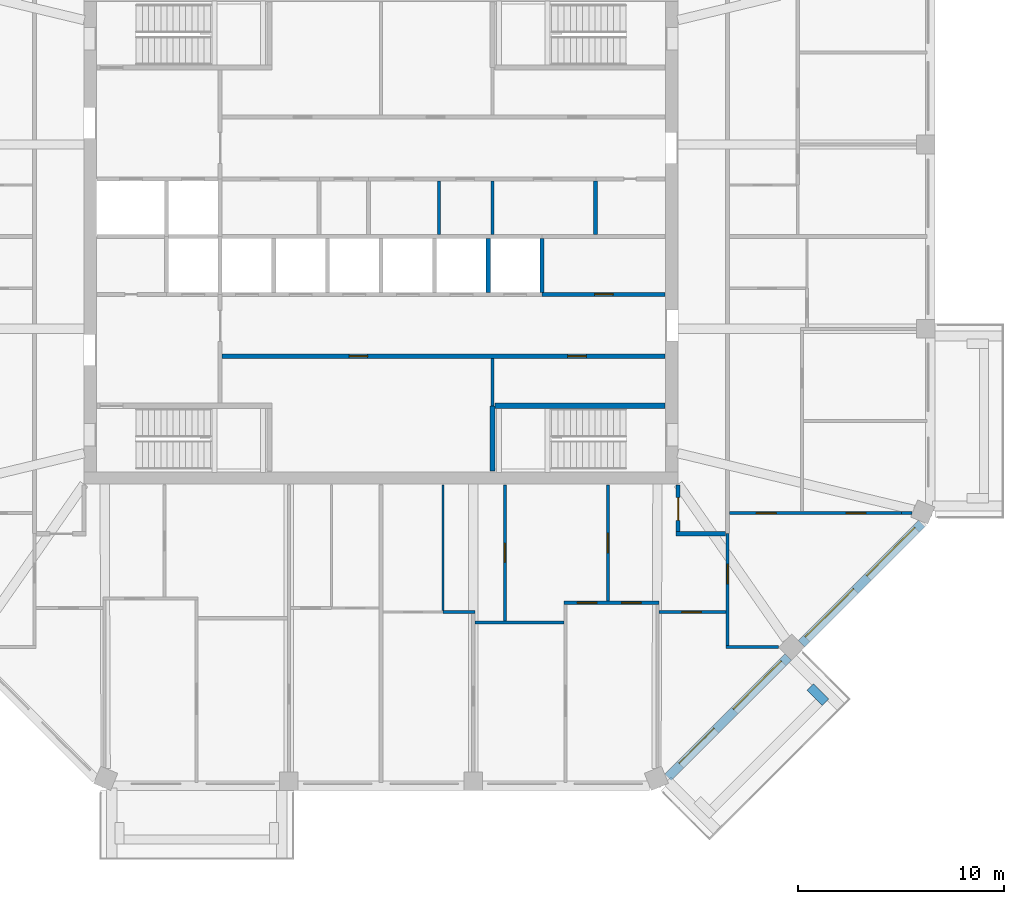
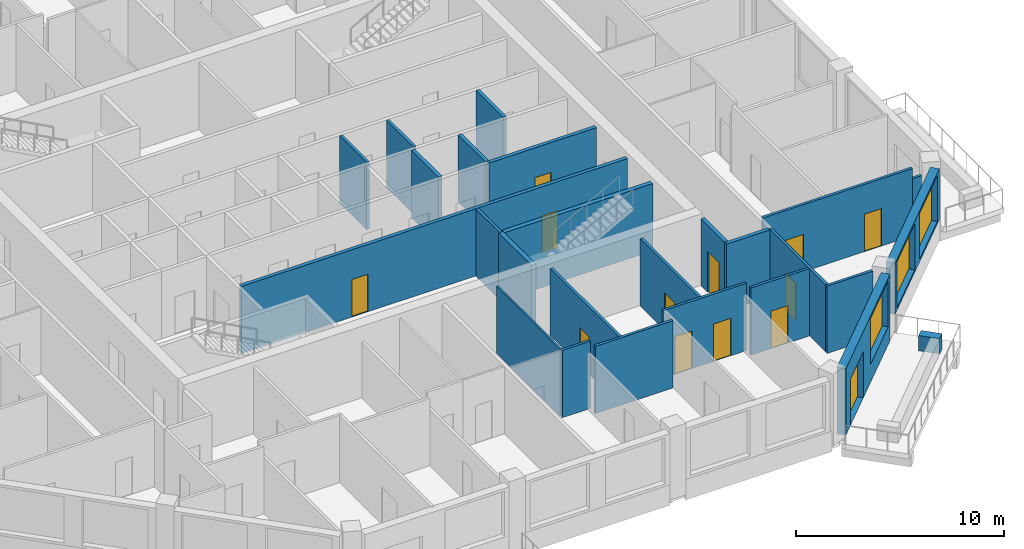
# One storey, part 5 of 11: 26 walls, 13 doors, 3 windows, 16 openings.
"""IFC4 building model written with IfcOpenShell, lengths in metres."""

from ifc_helpers import new_model, si_unit, direction, frame, frame_2d, origin, place, context, subcontext, project, spatial, rectangle, extrude, material, layer, layer_set, type_object, element, fill, save


model = new_model("IFC4")

# Units and contexts
model_context = context("Model", 3, precision=1e-05, world=origin(), true_north=direction((0.0, 1.0)))
body_context = subcontext(model_context, "Body", "Model", "MODEL_VIEW")
ifc_project = project(units=[si_unit("LENGTHUNIT", "METRE"), si_unit("AREAUNIT", "SQUARE_METRE"), si_unit("VOLUMEUNIT", "CUBIC_METRE"), si_unit("PLANEANGLEUNIT", "RADIAN"), si_unit("MASSUNIT", "GRAM", prefix="KILO")], contexts=[model_context])

# Site, building, storey
site_placement = place(None, origin())
site = spatial("IfcSite", under=ifc_project, at=site_placement, CompositionType="ELEMENT")
building_placement = place(site_placement, origin())
building = spatial("IfcBuilding", under=site, at=building_placement, Name="Msitu Wima Residences", CompositionType="ELEMENT")
storey_placement = place(building_placement, frame((0.0, 0.0, 234.89990234375)))
storey = spatial("IfcBuildingStorey", under=building, at=storey_placement, Name="L54", CompositionType="ELEMENT", Elevation=234.89990234375)

# Wall
ifc_material_1 = material(Name="Facing brick")
ifc_layer_1 = layer(ifc_material_1, 0.06494140625, Name="Facing brick")
ifc_material_2 = material(Name="Concrete C40/50", Category="concrete")
ifc_layer_2 = layer(ifc_material_2, 0.156005859375, Name="Concrete C40/50")
ifc_material_3 = material(Name="Waterproofing membrane")
ifc_layer_3 = layer(ifc_material_3, 0.00390625, Name="Waterproofing membrane")
ifc_material_4 = material(Name="Planting soil and planting")
ifc_layer_4 = layer(ifc_material_4, 0.22509765625, Name="Planting soil and planting")
ifc_layer_set_1 = layer_set([ifc_layer_1, ifc_layer_2, ifc_layer_3, ifc_layer_4], Name="Concrete C40/50")
wall_type_1 = type_object("IfcWallType", Name="Balcony planter PLANTER PL450", PredefinedType="USERDEFINED", material=ifc_layer_set_1)
wall_1_placement = place(storey_placement, frame((20.804443359375, -21.829833984375, 0.0), z_axis=(0.0, 0.0, 1.0), x_axis=(0.707106781187, -0.707106781187, 0.0)))
element("IfcWall", 1, at=wall_1_placement, inside=storey, type_object=wall_type_1, Name="Balcony planter SE0 L54", ObjectType="PLANTER", PredefinedType="USERDEFINED", context=body_context, shape_type="SweptSolid", body=[
    extrude(rectangle(XDim=1.050048828125, YDim=0.449951171875, at=frame_2d((0.52490234375, 0.0))), origin(), (0.0, 0.0, 1.0), 0.900146484375),
])

# Wall, openings, door, window
ifc_material_5 = material(Name="Brick (red buff mix)", Category="masonry")
ifc_layer_5 = layer(ifc_material_5, 0.449951171875)
ifc_layer_set_2 = layer_set([ifc_layer_5], Name="Brick (red buff mix)")
wall_type_2 = type_object("IfcWallType", Name="Brick infill wall BW450", PredefinedType="SOLIDWALL", material=ifc_layer_set_2)
wall_2_placement = place(storey_placement, frame((13.909423828125, -26.214599609375, 0.0), z_axis=(0.0, 0.0, 1.0), x_axis=(0.707106781187, 0.707106781187, 0.0)))
wall_2 = element("IfcWall", 2, at=wall_2_placement, inside=storey, type_object=wall_type_2, Name="Brick infill wall L54 SE0", PredefinedType="SOLIDWALL", context=body_context, shape_type="SweptSolid", body=[
    extrude(rectangle(XDim=8.251220703125, YDim=0.449951171875, at=frame_2d((4.12548828125, 0.0))), origin(), (0.0, 0.0, 1.0), 3.900146484375),
])
opening_1_placement = place(wall_2_placement, frame((0.86279296875, 0.0, 0.0)))
opening_1 = element("IfcOpeningElement", 3, at=opening_1_placement, cuts=wall_2, Name="Opening D52-54.006", PredefinedType="OPENING", context=body_context, shape_type="SweptSolid", body=[
    extrude(rectangle(XDim=2.39990234375, YDim=2.699951171875, at=frame_2d((1.199951171875, 1.35009765625))), frame((0.0, 0.23486328125, 0.0), z_axis=(0.0, -1.0, 0.0), x_axis=(1.0, 0.0, 0.0)), (0.0, 0.0, 1.0), 0.469970703125),
])
opening_2_placement = place(wall_2_placement, frame((4.57568359375, 0.0, 1.050048828125)))
opening_2 = element("IfcOpeningElement", 4, at=opening_2_placement, cuts=wall_2, Name="Opening W52-54.022", PredefinedType="OPENING", context=body_context, shape_type="SweptSolid", body=[
    extrude(rectangle(XDim=3.300048828125, YDim=2.699951171875, at=frame_2d((1.64990234375, 1.35009765625))), frame((0.0, 0.23486328125, 0.0), z_axis=(0.0, -1.0, 0.0), x_axis=(1.0, 0.0, 0.0)), (0.0, 0.0, 1.0), 0.469970703125),
])
ifc_material_6 = material(Name="Anodised aluminium, bronze finish, clear low-emissivity double glazing", Category="aluminium")
door_type_1 = type_object("IfcDoorType", Name="Balcony door D2400x2700", OperationType="SLIDING_TO_LEFT", PredefinedType="DOOR", material=ifc_material_6)
door_1_placement = place(opening_1_placement, origin())
door_1 = element("IfcDoor", 5, at=door_1_placement, inside=storey, type_object=door_type_1, Name="Balcony door L54 SE0", OperationType="SINGLE_SWING_LEFT", OverallHeight=2.699951171875, OverallWidth=2.39990234375, PredefinedType="DOOR", context=body_context, shape_type="SweptSolid", body=[
    extrude(rectangle(XDim=2.39990234375, YDim=2.699951171875, at=frame_2d((1.199951171875, 1.35009765625))), frame((0.0, 0.1298828125, 0.0), z_axis=(0.0, -1.0, 0.0), x_axis=(1.0, 0.0, 0.0)), (0.0, 0.0, 1.0), 0.050048828125),
])
fill(opening_1, door_1)
window_type = type_object("IfcWindowType", Name="Window W3300x2700", PartitioningType="DOUBLE_PANEL_VERTICAL", PredefinedType="WINDOW", material=ifc_material_6)
window_1_placement = place(opening_2_placement, origin())
window_1 = element("IfcWindow", 6, at=window_1_placement, inside=storey, type_object=window_type, Name="Window L54 SE0.2", OverallHeight=2.699951171875, OverallWidth=3.300048828125, PartitioningType="SINGLE_PANEL", PredefinedType="WINDOW", context=body_context, shape_type="SweptSolid", body=[
    extrude(rectangle(XDim=3.300048828125, YDim=2.699951171875, at=frame_2d((1.64990234375, 1.35009765625))), frame((0.0, 0.135009765625, 0.0), z_axis=(0.0, -1.0, 0.0), x_axis=(1.0, 0.0, 0.0)), (0.0, 0.0, 1.0), 0.06005859375),
])
fill(opening_2, window_1)

# Wall, openings, windows
wall_3_placement = place(storey_placement, frame((20.380126953125, -19.743896484375, 0.900146484375), z_axis=(0.0, 0.0, 1.0), x_axis=(0.707106781187, 0.707106781187, 0.0)))
wall_3 = element("IfcWall", 7, at=wall_3_placement, inside=storey, type_object=wall_type_2, Name="Brick infill wall L54 SE1", PredefinedType="SOLIDWALL", context=body_context, shape_type="SweptSolid", body=[
    extrude(rectangle(XDim=8.251220703125, YDim=0.449951171875, at=frame_2d((4.12548828125, 0.0))), origin(), (0.0, 0.0, 1.0), 3.0),
])
opening_3_placement = place(wall_3_placement, frame((0.37548828125, 0.0, 0.14990234375)))
opening_3 = element("IfcOpeningElement", 8, at=opening_3_placement, cuts=wall_3, Name="Opening W52-54.023", PredefinedType="OPENING", context=body_context, shape_type="SweptSolid", body=[
    extrude(rectangle(XDim=3.300048828125, YDim=2.699951171875, at=frame_2d((1.64990234375, 1.35009765625))), frame((0.0, 0.23486328125, 0.0), z_axis=(0.0, -1.0, 0.0), x_axis=(1.0, 0.0, 0.0)), (0.0, 0.0, 1.0), 0.469970703125),
])
opening_4_placement = place(wall_3_placement, frame((4.57568359375, 0.0, 0.14990234375)))
opening_4 = element("IfcOpeningElement", 9, at=opening_4_placement, cuts=wall_3, Name="Opening W52-54.024", PredefinedType="OPENING", context=body_context, shape_type="SweptSolid", body=[
    extrude(rectangle(XDim=3.300048828125, YDim=2.699951171875, at=frame_2d((1.64990234375, 1.35009765625))), frame((0.0, 0.23486328125, 0.0), z_axis=(0.0, -1.0, 0.0), x_axis=(1.0, 0.0, 0.0)), (0.0, 0.0, 1.0), 0.469970703125),
])
window_2_placement = place(opening_3_placement, origin())
window_2 = element("IfcWindow", 10, at=window_2_placement, inside=storey, type_object=window_type, Name="Window L54 SE1.1", OverallHeight=2.699951171875, OverallWidth=3.300048828125, PartitioningType="SINGLE_PANEL", PredefinedType="WINDOW", context=body_context, shape_type="SweptSolid", body=[
    extrude(rectangle(XDim=3.300048828125, YDim=2.699951171875, at=frame_2d((1.64990234375, 1.35009765625))), frame((0.0, 0.135009765625, 0.0), z_axis=(0.0, -1.0, 0.0), x_axis=(1.0, 0.0, 0.0)), (0.0, 0.0, 1.0), 0.06005859375),
])
fill(opening_3, window_2)
window_3_placement = place(opening_4_placement, origin())
window_3 = element("IfcWindow", 11, at=window_3_placement, inside=storey, type_object=window_type, Name="Window L54 SE1.2", OverallHeight=2.699951171875, OverallWidth=3.300048828125, PartitioningType="SINGLE_PANEL", PredefinedType="WINDOW", context=body_context, shape_type="SweptSolid", body=[
    extrude(rectangle(XDim=3.300048828125, YDim=2.699951171875, at=frame_2d((1.64990234375, 1.35009765625))), frame((0.0, 0.135009765625, 0.0), z_axis=(0.0, -1.0, 0.0), x_axis=(1.0, 0.0, 0.0)), (0.0, 0.0, 1.0), 0.06005859375),
])
fill(opening_4, window_3)

# Wall, openings, doors
ifc_material_7 = material(Name="Plaster")
ifc_layer_6 = layer(ifc_material_7, 0.011962890625, Name="Plaster")
ifc_material_8 = material(Name="Concrete blockwork", Category="masonry")
ifc_layer_7 = layer(ifc_material_8, 0.176025390625, Name="Concrete blockwork")
ifc_layer_8 = layer(ifc_material_7, 0.011962890625, Name="Plaster")
ifc_layer_set_3 = layer_set([ifc_layer_6, ifc_layer_7, ifc_layer_8], Name="Concrete blockwork")
wall_type_3 = type_object("IfcWallType", Name="Corridor wall FW200", PredefinedType="PARTITIONING", material=ifc_layer_set_3)
wall_4_placement = place(storey_placement, frame((-7.699951171875, -5.800048828125, 0.0), z_axis=(0.0, 0.0, 1.0), x_axis=(1.0, 0.0, 0.0)))
wall_4 = element("IfcWall", 12, at=wall_4_placement, inside=storey, type_object=wall_type_3, Name="Corridor wall", PredefinedType="PARTITIONING", context=body_context, shape_type="SweptSolid", body=[
    extrude(rectangle(XDim=21.469970703125, YDim=0.199951171875, at=frame_2d((10.73486328125, 0.0))), origin(), (0.0, 0.0, 1.0), 3.9501953125),
])
opening_5_placement = place(wall_4_placement, frame((6.14990234375, 0.0, 0.0)))
opening_5 = element("IfcOpeningElement", 13, at=opening_5_placement, cuts=wall_4, Name="Opening D52-54.074", PredefinedType="OPENING", context=body_context, shape_type="SweptSolid", body=[
    extrude(rectangle(XDim=0.89990234375, YDim=2.199951171875, at=frame_2d((0.449951171875, 1.10009765625))), frame((0.0, 0.10986328125, 0.0), z_axis=(0.0, -1.0, 0.0), x_axis=(1.0, 0.0, 0.0)), (0.0, 0.0, 1.0), 0.219970703125),
])
opening_6_placement = place(wall_4_placement, frame((16.75, 0.0, 0.0)))
opening_6 = element("IfcOpeningElement", 14, at=opening_6_placement, cuts=wall_4, Name="Opening D52-54.075", PredefinedType="OPENING", context=body_context, shape_type="SweptSolid", body=[
    extrude(rectangle(XDim=0.89990234375, YDim=2.199951171875, at=frame_2d((0.449951171875, 1.10009765625))), frame((0.0, 0.10986328125, 0.0), z_axis=(0.0, -1.0, 0.0), x_axis=(1.0, 0.0, 0.0)), (0.0, 0.0, 1.0), 0.219970703125),
])
ifc_material_9 = material(Name="Timber flush door", Category="wood")
door_type_2 = type_object("IfcDoorType", Name="Service door D05 900x2200", OperationType="SINGLE_SWING_LEFT", PredefinedType="DOOR", material=ifc_material_9)
door_2_placement = place(opening_5_placement, origin())
door_2 = element("IfcDoor", 15, at=door_2_placement, inside=storey, type_object=door_type_2, Name="Service door", OperationType="SINGLE_SWING_RIGHT", OverallHeight=2.199951171875, OverallWidth=0.89990234375, PredefinedType="DOOR", context=body_context, shape_type="SweptSolid", body=[
    extrude(rectangle(XDim=0.89990234375, YDim=2.199951171875, at=frame_2d((0.449951171875, 1.10009765625))), frame((0.0, 0.02490234375, 0.0), z_axis=(0.0, -1.0, 0.0), x_axis=(1.0, 0.0, 0.0)), (0.0, 0.0, 1.0), 0.050048828125),
])
fill(opening_5, door_2)
door_3_placement = place(opening_6_placement, origin())
door_3 = element("IfcDoor", 16, at=door_3_placement, inside=storey, type_object=door_type_2, Name="Service door", OperationType="SINGLE_SWING_LEFT", OverallHeight=2.199951171875, OverallWidth=0.89990234375, PredefinedType="DOOR", context=body_context, shape_type="SweptSolid", body=[
    extrude(rectangle(XDim=0.89990234375, YDim=2.199951171875, at=frame_2d((0.449951171875, 1.10009765625))), frame((0.0, 0.02490234375, 0.0), z_axis=(0.0, -1.0, 0.0), x_axis=(1.0, 0.0, 0.0)), (0.0, 0.0, 1.0), 0.050048828125),
])
fill(opening_6, door_3)

# Wall, opening, door
wall_5_placement = place(storey_placement, frame((14.39990234375, -14.300048828125, 0.0), z_axis=(0.0, 0.0, 1.0), x_axis=(0.0, 1.0, 0.0)))
wall_5 = element("IfcWall", 17, at=wall_5_placement, inside=storey, type_object=wall_type_3, Name="Corridor wall", PredefinedType="PARTITIONING", context=body_context, shape_type="SweptSolid", body=[
    extrude(rectangle(XDim=2.27001953125, YDim=0.199951171875, at=frame_2d((1.135009765625, 0.0))), origin(), (0.0, 0.0, 1.0), 3.9501953125),
])
opening_7_placement = place(wall_5_placement, frame((0.550048828125, 0.0, 0.0)))
opening_7 = element("IfcOpeningElement", 18, at=opening_7_placement, cuts=wall_5, Name="Opening D52-54.051", PredefinedType="OPENING", context=body_context, shape_type="SweptSolid", body=[
    extrude(rectangle(XDim=1.10009765625, YDim=2.39990234375, at=frame_2d((0.550048828125, 1.199951171875))), frame((0.0, 0.10986328125, 0.0), z_axis=(0.0, -1.0, 0.0), x_axis=(1.0, 0.0, 0.0)), (0.0, 0.0, 1.0), 0.219970703125),
])
ifc_material_10 = material(Name="Timber flush door, fire resisting, self-closing", Category="wood")
door_type_3 = type_object("IfcDoorType", Name="Flat entrance door D01 1100x2400", OperationType="SINGLE_SWING_LEFT", PredefinedType="DOOR", material=ifc_material_10)
door_4_placement = place(opening_7_placement, origin())
door_4 = element("IfcDoor", 19, at=door_4_placement, inside=storey, type_object=door_type_3, Name="Flat entrance door", OperationType="SINGLE_SWING_RIGHT", OverallHeight=2.39990234375, OverallWidth=1.10009765625, PredefinedType="DOOR", context=body_context, shape_type="SweptSolid", body=[
    extrude(rectangle(XDim=1.10009765625, YDim=2.39990234375, at=frame_2d((0.550048828125, 1.199951171875))), frame((0.0, 0.02490234375, 0.0), z_axis=(0.0, -1.0, 0.0), x_axis=(1.0, 0.0, 0.0)), (0.0, 0.0, 1.0), 0.050048828125),
])
fill(opening_7, door_4)

# Walls
wall_6_placement = place(storey_placement, frame((14.300048828125, -14.39990234375, 0.0), z_axis=(0.0, 0.0, 1.0), x_axis=(1.0, 0.0, 0.0)))
element("IfcWall", 20, at=wall_6_placement, inside=storey, type_object=wall_type_3, Name="Corridor wall", PredefinedType="PARTITIONING", context=body_context, shape_type="SweptSolid", body=[
    extrude(rectangle(XDim=2.39990234375, YDim=0.199951171875, at=frame_2d((1.199951171875, 0.0))), origin(), (0.0, 0.0, 1.0), 3.9501953125),
])
ifc_layer_9 = layer(ifc_material_7, 0.011962890625, Name="Plaster")
ifc_layer_10 = layer(ifc_material_8, 0.1259765625, Name="Concrete blockwork")
ifc_layer_11 = layer(ifc_material_7, 0.011962890625, Name="Plaster")
ifc_layer_set_4 = layer_set([ifc_layer_9, ifc_layer_10, ifc_layer_11], Name="Concrete blockwork")
wall_type_4 = type_object("IfcWallType", Name="Partition PW150", PredefinedType="PARTITIONING", material=ifc_layer_set_4)
wall_7_placement = place(storey_placement, frame((2.800048828125, 0.10009765625, 0.0), z_axis=(0.0, 0.0, 1.0), x_axis=(0.0, 1.0, 0.0)))
element("IfcWall", 21, at=wall_7_placement, inside=storey, type_object=wall_type_4, Name="Partition", PredefinedType="PARTITIONING", context=body_context, shape_type="SweptSolid", body=[
    extrude(rectangle(XDim=2.599853515625, YDim=0.14990234375, at=frame_2d((1.2998046875, 0.0))), origin(), (0.0, 0.0, 1.0), 3.9501953125),
])
wall_8_placement = place(storey_placement, frame((3.0, -18.199951171875, 0.0), z_axis=(0.0, 0.0, 1.0), x_axis=(1.0, 0.0, 0.0)))
element("IfcWall", 22, at=wall_8_placement, inside=storey, type_object=wall_type_4, Name="Partition", PredefinedType="PARTITIONING", context=body_context, shape_type="SweptSolid", body=[
    extrude(rectangle(XDim=1.543701171875, YDim=0.14990234375, at=frame_2d((0.77197265625, 0.0))), origin(), (0.0, 0.0, 1.0), 3.9501953125),
])
wall_9_placement = place(storey_placement, frame((4.543701171875, -18.699951171875, 0.0), z_axis=(0.0, 0.0, 1.0), x_axis=(1.0, 0.0, 0.0)))
element("IfcWall", 23, at=wall_9_placement, inside=storey, type_object=wall_type_4, Name="Partition", PredefinedType="PARTITIONING", context=body_context, shape_type="SweptSolid", body=[
    extrude(rectangle(XDim=4.318603515625, YDim=0.14990234375, at=frame_2d((2.1591796875, 0.0))), origin(), (0.0, 0.0, 1.0), 3.9501953125),
])
wall_10_placement = place(storey_placement, frame((5.39990234375, -8.199951171875, 0.0), z_axis=(0.0, 0.0, 1.0), x_axis=(0.0, 1.0, 0.0)))
element("IfcWall", 24, at=wall_10_placement, inside=storey, type_object=wall_type_4, Name="Partition", PredefinedType="PARTITIONING", context=body_context, shape_type="SweptSolid", body=[
    extrude(rectangle(XDim=2.300048828125, YDim=0.14990234375, at=frame_2d((1.14990234375, 0.0))), origin(), (0.0, 0.0, 1.0), 3.9501953125),
])
wall_11_placement = place(storey_placement, frame((5.39990234375, 0.10009765625, 0.0), z_axis=(0.0, 0.0, 1.0), x_axis=(0.0, 1.0, 0.0)))
element("IfcWall", 25, at=wall_11_placement, inside=storey, type_object=wall_type_4, Name="Partition", PredefinedType="PARTITIONING", context=body_context, shape_type="SweptSolid", body=[
    extrude(rectangle(XDim=2.599853515625, YDim=0.14990234375, at=frame_2d((1.2998046875, 0.0))), origin(), (0.0, 0.0, 1.0), 3.9501953125),
])

# Wall, opening, door
wall_12_placement = place(storey_placement, frame((6.0, -18.625, 0.0), z_axis=(0.0, 0.0, 1.0), x_axis=(0.0, 1.0, 0.0)))
wall_12 = element("IfcWall", 26, at=wall_12_placement, inside=storey, type_object=wall_type_4, Name="Partition", PredefinedType="PARTITIONING", context=body_context, shape_type="SweptSolid", body=[
    extrude(rectangle(XDim=6.594970703125, YDim=0.14990234375, at=frame_2d((3.29736328125, 0.0))), origin(), (0.0, 0.0, 1.0), 3.9501953125),
])
opening_8_placement = place(wall_12_placement, frame((2.85009765625, 0.0, 0.0)))
opening_8 = element("IfcOpeningElement", 27, at=opening_8_placement, cuts=wall_12, Name="Opening D52-54.061", PredefinedType="OPENING", context=body_context, shape_type="SweptSolid", body=[
    extrude(rectangle(XDim=0.89990234375, YDim=2.199951171875, at=frame_2d((0.449951171875, 1.10009765625))), frame((0.0, 0.0849609375, 0.0), z_axis=(0.0, -1.0, 0.0), x_axis=(1.0, 0.0, 0.0)), (0.0, 0.0, 1.0), 0.169921875),
])
door_5_placement = place(opening_8_placement, origin())
door_5 = element("IfcDoor", 28, at=door_5_placement, inside=storey, type_object=door_type_2, Name="Service door", OperationType="SINGLE_SWING_LEFT", OverallHeight=2.199951171875, OverallWidth=0.89990234375, PredefinedType="DOOR", context=body_context, shape_type="SweptSolid", body=[
    extrude(rectangle(XDim=0.89990234375, YDim=2.199951171875, at=frame_2d((0.449951171875, 1.10009765625))), frame((0.0, 0.02490234375, 0.0), z_axis=(0.0, -1.0, 0.0), x_axis=(1.0, 0.0, 0.0)), (0.0, 0.0, 1.0), 0.050048828125),
])
fill(opening_8, door_5)

# Wall, openings, doors
wall_13_placement = place(storey_placement, frame((8.8623046875, -17.75, 0.0), z_axis=(0.0, 0.0, 1.0), x_axis=(1.0, 0.0, 0.0)))
wall_13 = element("IfcWall", 29, at=wall_13_placement, inside=storey, type_object=wall_type_4, Name="Partition", PredefinedType="PARTITIONING", context=body_context, shape_type="SweptSolid", body=[
    extrude(rectangle(XDim=4.61865234375, YDim=0.14990234375, at=frame_2d((2.309326171875, 0.0))), origin(), (0.0, 0.0, 1.0), 3.9501953125),
])
opening_9_placement = place(wall_13_placement, frame((2.800048828125, 0.0, 0.0)))
opening_9 = element("IfcOpeningElement", 30, at=opening_9_placement, cuts=wall_13, Name="Opening D52-54.058", PredefinedType="OPENING", context=body_context, shape_type="SweptSolid", body=[
    extrude(rectangle(XDim=0.949951171875, YDim=2.199951171875, at=frame_2d((0.47509765625, 1.10009765625))), frame((0.0, 0.0849609375, 0.0), z_axis=(0.0, -1.0, 0.0), x_axis=(1.0, 0.0, 0.0)), (0.0, 0.0, 1.0), 0.169921875),
])
opening_10_placement = place(wall_13_placement, frame((0.64990234375, 0.0, 0.0)))
opening_10 = element("IfcOpeningElement", 31, at=opening_10_placement, cuts=wall_13, Name="Opening D52-54.057", PredefinedType="OPENING", context=body_context, shape_type="SweptSolid", body=[
    extrude(rectangle(XDim=0.949951171875, YDim=2.199951171875, at=frame_2d((0.47509765625, 1.10009765625))), frame((0.0, 0.0849609375, 0.0), z_axis=(0.0, -1.0, 0.0), x_axis=(1.0, 0.0, 0.0)), (0.0, 0.0, 1.0), 0.169921875),
])
door_type_4 = type_object("IfcDoorType", Name="Room door D12 950x2200", OperationType="SINGLE_SWING_LEFT", PredefinedType="DOOR", material=ifc_material_9)
door_6_placement = place(opening_9_placement, origin())
door_6 = element("IfcDoor", 32, at=door_6_placement, inside=storey, type_object=door_type_4, Name="Room door", OperationType="SINGLE_SWING_LEFT", OverallHeight=2.199951171875, OverallWidth=0.949951171875, PredefinedType="DOOR", context=body_context, shape_type="SweptSolid", body=[
    extrude(rectangle(XDim=0.949951171875, YDim=2.199951171875, at=frame_2d((0.47509765625, 1.10009765625))), frame((0.0, 0.02490234375, 0.0), z_axis=(0.0, -1.0, 0.0), x_axis=(1.0, 0.0, 0.0)), (0.0, 0.0, 1.0), 0.050048828125),
])
fill(opening_9, door_6)
door_7_placement = place(opening_10_placement, origin())
door_7 = element("IfcDoor", 33, at=door_7_placement, inside=storey, type_object=door_type_4, Name="Room door", OperationType="SINGLE_SWING_RIGHT", OverallHeight=2.199951171875, OverallWidth=0.949951171875, PredefinedType="DOOR", context=body_context, shape_type="SweptSolid", body=[
    extrude(rectangle(XDim=0.949951171875, YDim=2.199951171875, at=frame_2d((0.47509765625, 1.10009765625))), frame((0.0, 0.02490234375, 0.0), z_axis=(0.0, -1.0, 0.0), x_axis=(1.0, 0.0, 0.0)), (0.0, 0.0, 1.0), 0.050048828125),
])
fill(opening_10, door_7)

# Wall, opening, door
wall_14_placement = place(storey_placement, frame((11.0, -17.675048828125, 0.0), z_axis=(0.0, 0.0, 1.0), x_axis=(0.0, 1.0, 0.0)))
wall_14 = element("IfcWall", 34, at=wall_14_placement, inside=storey, type_object=wall_type_4, Name="Partition", PredefinedType="PARTITIONING", context=body_context, shape_type="SweptSolid", body=[
    extrude(rectangle(XDim=5.64501953125, YDim=0.14990234375, at=frame_2d((2.822509765625, 0.0))), origin(), (0.0, 0.0, 1.0), 3.9501953125),
])
opening_11_placement = place(wall_14_placement, frame((2.35009765625, 0.0, 0.0)))
opening_11 = element("IfcOpeningElement", 35, at=opening_11_placement, cuts=wall_14, Name="Opening D52-54.052", PredefinedType="OPENING", context=body_context, shape_type="SweptSolid", body=[
    extrude(rectangle(XDim=0.949951171875, YDim=2.199951171875, at=frame_2d((0.47509765625, 1.10009765625))), frame((0.0, 0.0849609375, 0.0), z_axis=(0.0, -1.0, 0.0), x_axis=(1.0, 0.0, 0.0)), (0.0, 0.0, 1.0), 0.169921875),
])
door_8_placement = place(opening_11_placement, origin())
door_8 = element("IfcDoor", 36, at=door_8_placement, inside=storey, type_object=door_type_4, Name="Room door", OperationType="SINGLE_SWING_LEFT", OverallHeight=2.199951171875, OverallWidth=0.949951171875, PredefinedType="DOOR", context=body_context, shape_type="SweptSolid", body=[
    extrude(rectangle(XDim=0.949951171875, YDim=2.199951171875, at=frame_2d((0.47509765625, 1.10009765625))), frame((0.0, 0.02490234375, 0.0), z_axis=(0.0, -1.0, 0.0), x_axis=(1.0, 0.0, 0.0)), (0.0, 0.0, 1.0), 0.050048828125),
])
fill(opening_11, door_8)

wall_15_placement = place(storey_placement, frame((13.48095703125, -18.199951171875, 0.0), z_axis=(0.0, 0.0, 1.0), x_axis=(1.0, 0.0, 0.0)))
wall_15 = element("IfcWall", 37, at=wall_15_placement, inside=storey, type_object=wall_type_4, Name="Partition", PredefinedType="PARTITIONING", context=body_context, shape_type="SweptSolid", body=[
    extrude(rectangle(XDim=3.244140625, YDim=0.14990234375, at=frame_2d((1.6220703125, 0.0))), origin(), (0.0, 0.0, 1.0), 3.9501953125),
])
opening_12_placement = place(wall_15_placement, frame((1.10009765625, 0.0, 0.0)))
opening_12 = element("IfcOpeningElement", 38, at=opening_12_placement, cuts=wall_15, Name="Opening D52-54.059", PredefinedType="OPENING", context=body_context, shape_type="SweptSolid", body=[
    extrude(rectangle(XDim=0.949951171875, YDim=2.199951171875, at=frame_2d((0.47509765625, 1.10009765625))), frame((0.0, 0.0849609375, 0.0), z_axis=(0.0, -1.0, 0.0), x_axis=(1.0, 0.0, 0.0)), (0.0, 0.0, 1.0), 0.169921875),
])
door_9_placement = place(opening_12_placement, origin())
door_9 = element("IfcDoor", 39, at=door_9_placement, inside=storey, type_object=door_type_4, Name="Room door", OperationType="SINGLE_SWING_RIGHT", OverallHeight=2.199951171875, OverallWidth=0.949951171875, PredefinedType="DOOR", context=body_context, shape_type="SweptSolid", body=[
    extrude(rectangle(XDim=0.949951171875, YDim=2.199951171875, at=frame_2d((0.47509765625, 1.10009765625))), frame((0.0, 0.02490234375, 0.0), z_axis=(0.0, -1.0, 0.0), x_axis=(1.0, 0.0, 0.0)), (0.0, 0.0, 1.0), 0.050048828125),
])
fill(opening_12, door_9)

wall_16_placement = place(storey_placement, frame((16.800048828125, -19.827880859375, 0.0), z_axis=(0.0, 0.0, 1.0), x_axis=(0.0, 1.0, 0.0)))
wall_16 = element("IfcWall", 40, at=wall_16_placement, inside=storey, type_object=wall_type_4, Name="Partition", PredefinedType="PARTITIONING", context=body_context, shape_type="SweptSolid", body=[
    extrude(rectangle(XDim=5.427978515625, YDim=0.14990234375, at=frame_2d((2.7138671875, 0.0))), origin(), (0.0, 0.0, 1.0), 3.9501953125),
])
opening_13_placement = place(wall_16_placement, frame((3.0, 0.0, 0.0)))
opening_13 = element("IfcOpeningElement", 41, at=opening_13_placement, cuts=wall_16, Name="Opening D52-54.060", PredefinedType="OPENING", context=body_context, shape_type="SweptSolid", body=[
    extrude(rectangle(XDim=0.949951171875, YDim=2.199951171875, at=frame_2d((0.47509765625, 1.10009765625))), frame((0.0, 0.0849609375, 0.0), z_axis=(0.0, -1.0, 0.0), x_axis=(1.0, 0.0, 0.0)), (0.0, 0.0, 1.0), 0.169921875),
])
door_10_placement = place(opening_13_placement, origin())
door_10 = element("IfcDoor", 42, at=door_10_placement, inside=storey, type_object=door_type_4, Name="Room door", OperationType="SINGLE_SWING_LEFT", OverallHeight=2.199951171875, OverallWidth=0.949951171875, PredefinedType="DOOR", context=body_context, shape_type="SweptSolid", body=[
    extrude(rectangle(XDim=0.949951171875, YDim=2.199951171875, at=frame_2d((0.47509765625, 1.10009765625))), frame((0.0, 0.02490234375, 0.0), z_axis=(0.0, -1.0, 0.0), x_axis=(1.0, 0.0, 0.0)), (0.0, 0.0, 1.0), 0.050048828125),
])
fill(opening_13, door_10)

# Wall
wall_17_placement = place(storey_placement, frame((16.72509765625, -19.90283203125, 0.0), z_axis=(0.0, 0.0, 1.0), x_axis=(1.0, 0.0, 0.0)))
element("IfcWall", 43, at=wall_17_placement, inside=storey, type_object=wall_type_4, Name="Partition", PredefinedType="PARTITIONING", context=body_context, shape_type="SweptSolid", body=[
    extrude(rectangle(XDim=2.54150390625, YDim=0.14990234375, at=frame_2d((1.270751953125, 0.0))), origin(), (0.0, 0.0, 1.0), 3.9501953125),
])

# Wall, openings, doors
wall_18_placement = place(storey_placement, frame((16.89990234375, -13.406005859375, 0.0), z_axis=(0.0, 0.0, 1.0), x_axis=(1.0, 0.0, 0.0)))
wall_18 = element("IfcWall", 44, at=wall_18_placement, inside=storey, type_object=wall_type_4, Name="Partition", PredefinedType="PARTITIONING", context=body_context, shape_type="SweptSolid", body=[
    extrude(rectangle(XDim=8.32421875, YDim=0.14990234375, at=frame_2d((4.162109375, 0.0))), origin(), (0.0, 0.0, 1.0), 3.9501953125),
])
opening_14_placement = place(wall_18_placement, frame((1.300048828125, 0.0, 0.0)))
opening_14 = element("IfcOpeningElement", 45, at=opening_14_placement, cuts=wall_18, Name="Opening D52-54.063", PredefinedType="OPENING", context=body_context, shape_type="SweptSolid", body=[
    extrude(rectangle(XDim=0.949951171875, YDim=2.199951171875, at=frame_2d((0.47509765625, 1.10009765625))), frame((0.0, 0.0849609375, 0.0), z_axis=(0.0, -1.0, 0.0), x_axis=(1.0, 0.0, 0.0)), (0.0, 0.0, 1.0), 0.169921875),
])
opening_15_placement = place(wall_18_placement, frame((5.64990234375, 0.0, 0.0)))
opening_15 = element("IfcOpeningElement", 46, at=opening_15_placement, cuts=wall_18, Name="Opening D52-54.053", PredefinedType="OPENING", context=body_context, shape_type="SweptSolid", body=[
    extrude(rectangle(XDim=0.949951171875, YDim=2.199951171875, at=frame_2d((0.47509765625, 1.10009765625))), frame((0.0, 0.0849609375, 0.0), z_axis=(0.0, -1.0, 0.0), x_axis=(1.0, 0.0, 0.0)), (0.0, 0.0, 1.0), 0.169921875),
])
door_11_placement = place(opening_14_placement, origin())
door_11 = element("IfcDoor", 47, at=door_11_placement, inside=storey, type_object=door_type_4, Name="Room door", OperationType="SINGLE_SWING_RIGHT", OverallHeight=2.199951171875, OverallWidth=0.949951171875, PredefinedType="DOOR", context=body_context, shape_type="SweptSolid", body=[
    extrude(rectangle(XDim=0.949951171875, YDim=2.199951171875, at=frame_2d((0.47509765625, 1.10009765625))), frame((0.0, 0.02490234375, 0.0), z_axis=(0.0, -1.0, 0.0), x_axis=(1.0, 0.0, 0.0)), (0.0, 0.0, 1.0), 0.050048828125),
])
fill(opening_14, door_11)
door_12_placement = place(opening_15_placement, origin())
door_12 = element("IfcDoor", 48, at=door_12_placement, inside=storey, type_object=door_type_4, Name="Room door", OperationType="SINGLE_SWING_LEFT", OverallHeight=2.199951171875, OverallWidth=0.949951171875, PredefinedType="DOOR", context=body_context, shape_type="SweptSolid", body=[
    extrude(rectangle(XDim=0.949951171875, YDim=2.199951171875, at=frame_2d((0.47509765625, 1.10009765625))), frame((0.0, 0.02490234375, 0.0), z_axis=(0.0, -1.0, 0.0), x_axis=(1.0, 0.0, 0.0)), (0.0, 0.0, 1.0), 0.050048828125),
])
fill(opening_15, door_12)

# Wall
wall_19_placement = place(storey_placement, frame((25.22412109375, -13.406005859375, 0.0), z_axis=(0.0, 0.0, 1.0), x_axis=(1.0, 0.0, 0.0)))
element("IfcWall", 49, at=wall_19_placement, inside=storey, type_object=wall_type_4, Name="Partition", PredefinedType="PARTITIONING", context=body_context, shape_type="SweptSolid", body=[
    extrude(rectangle(XDim=0.507080078125, YDim=0.14990234375, at=frame_2d((0.25341796875, 0.0))), origin(), (0.0, 0.0, 1.0), 3.35009765625),
])

# Wall, opening, door
ifc_layer_12 = layer(ifc_material_7, 0.011962890625, Name="Plaster")
ifc_material_11 = material(Name="Reinforced concrete blockwork", Category="masonry")
ifc_layer_13 = layer(ifc_material_11, 0.176025390625, Name="Reinforced concrete blockwork")
ifc_layer_14 = layer(ifc_material_7, 0.011962890625, Name="Plaster")
ifc_layer_set_5 = layer_set([ifc_layer_12, ifc_layer_13, ifc_layer_14], Name="Reinforced concrete blockwork")
wall_type_5 = type_object("IfcWallType", Name="Plant and riser wall PL200", PredefinedType="PARTITIONING", material=ifc_layer_set_5)
wall_20_placement = place(storey_placement, frame((7.800048828125, -2.800048828125, 0.0), z_axis=(0.0, 0.0, 1.0), x_axis=(1.0, 0.0, 0.0)))
wall_20 = element("IfcWall", 50, at=wall_20_placement, inside=storey, type_object=wall_type_5, Name="Plant and riser wall", PredefinedType="PARTITIONING", context=body_context, shape_type="SweptSolid", body=[
    extrude(rectangle(XDim=5.969970703125, YDim=0.199951171875, at=frame_2d((2.98486328125, 0.0))), origin(), (0.0, 0.0, 1.0), 3.9501953125),
])
opening_16_placement = place(wall_20_placement, frame((2.550048828125, 0.0, 0.0)))
opening_16 = element("IfcOpeningElement", 51, at=opening_16_placement, cuts=wall_20, Name="Opening D52-54.066", PredefinedType="OPENING", context=body_context, shape_type="SweptSolid", body=[
    extrude(rectangle(XDim=0.89990234375, YDim=2.199951171875, at=frame_2d((0.449951171875, 1.10009765625))), frame((0.0, 0.10986328125, 0.0), z_axis=(0.0, -1.0, 0.0), x_axis=(1.0, 0.0, 0.0)), (0.0, 0.0, 1.0), 0.219970703125),
])
door_13_placement = place(opening_16_placement, origin())
door_13 = element("IfcDoor", 52, at=door_13_placement, inside=storey, type_object=door_type_2, Name="Service door", OperationType="SINGLE_SWING_LEFT", OverallHeight=2.199951171875, OverallWidth=0.89990234375, PredefinedType="DOOR", context=body_context, shape_type="SweptSolid", body=[
    extrude(rectangle(XDim=0.89990234375, YDim=2.199951171875, at=frame_2d((0.449951171875, 1.10009765625))), frame((0.0, 0.02490234375, 0.0), z_axis=(0.0, -1.0, 0.0), x_axis=(1.0, 0.0, 0.0)), (0.0, 0.0, 1.0), 0.050048828125),
])
fill(opening_16, door_13)

# Walls
wall_21_placement = place(storey_placement, frame((10.39990234375, 0.10009765625, 0.0), z_axis=(0.0, 0.0, 1.0), x_axis=(0.0, 1.0, 0.0)))
element("IfcWall", 53, at=wall_21_placement, inside=storey, type_object=wall_type_5, Name="Plant and riser wall", PredefinedType="PARTITIONING", context=body_context, shape_type="SweptSolid", body=[
    extrude(rectangle(XDim=2.599853515625, YDim=0.199951171875, at=frame_2d((1.2998046875, 0.0))), origin(), (0.0, 0.0, 1.0), 3.9501953125),
])
ifc_material_12 = material(Name="Fire-rated board")
ifc_layer_15 = layer(ifc_material_12, 0.02490234375, Name="Fire-rated board")
ifc_material_13 = material(Name="Light-gauge stud framing with mineral wool")
ifc_layer_16 = layer(ifc_material_13, 0.14990234375, Name="Light-gauge stud framing with mineral wool")
ifc_layer_17 = layer(ifc_material_12, 0.02490234375, Name="Fire-rated board")
ifc_layer_set_6 = layer_set([ifc_layer_15, ifc_layer_16, ifc_layer_17], Name="Light-gauge stud framing with mineral wool")
wall_type_6 = type_object("IfcWallType", Name="Shaft wall SH200", PredefinedType="PARTITIONING", material=ifc_layer_set_6)
for number, where, z_axis, x_axis, name in (
    (54, (5.199951171875, -2.699951171875, 0.0), (0.0, 0.0, 1.0), (0.0, 1.0, 0.0), "Shaft wall"),
    (55, (7.800048828125, -2.699951171875, 0.0), (0.0, 0.0, 1.0), (0.0, 1.0, 0.0), "Shaft wall"),
):
    element("IfcWall", number, at=place(storey_placement, frame(where, z_axis=z_axis, x_axis=x_axis)), inside=storey, type_object=wall_type_6, Name=name, PredefinedType="PARTITIONING", context=body_context, shape_type="SweptSolid", body=[
        extrude(rectangle(XDim=2.599853515625, YDim=0.199951171875, at=frame_2d((1.2998046875, 0.0))), origin(), (0.0, 0.0, 1.0), 3.9501953125),
    ])
ifc_material_14 = material(Name="Concrete C50/60", Category="concrete")
ifc_layer_18 = layer(ifc_material_14, 0.25)
ifc_layer_set_7 = layer_set([ifc_layer_18], Name="Concrete C50/60")
wall_type_7 = type_object("IfcWallType", Name="Stair enclosure wall SW250", PredefinedType="SHEAR", material=ifc_layer_set_7)
wall_22_placement = place(storey_placement, frame((5.39990234375, -11.3701171875, 0.0), z_axis=(0.0, 0.0, 1.0), x_axis=(0.0, 1.0, 0.0)))
element("IfcWall", 56, at=wall_22_placement, inside=storey, type_object=wall_type_7, Name="Stair enclosure wall", PredefinedType="SHEAR", context=body_context, shape_type="SweptSolid", body=[
    extrude(rectangle(XDim=3.170166015625, YDim=0.25, at=frame_2d((1.5849609375, 0.0))), origin(), (0.0, 0.0, 1.0), 3.9501953125),
])
wall_23_placement = place(storey_placement, frame((5.52490234375, -8.199951171875, 0.0), z_axis=(0.0, 0.0, 1.0), x_axis=(1.0, 0.0, 0.0)))
element("IfcWall", 57, at=wall_23_placement, inside=storey, type_object=wall_type_7, Name="Stair enclosure wall", PredefinedType="SHEAR", context=body_context, shape_type="SweptSolid", body=[
    extrude(rectangle(XDim=8.2451171875, YDim=0.25, at=frame_2d((4.12255859375, 0.0))), origin(), (0.0, 0.0, 1.0), 3.9501953125),
])
ifc_material_15 = material(Name="Ceramic tiles")
ifc_layer_19 = layer(ifc_material_15, 0.008056640625, Name="Ceramic tiles")
ifc_material_16 = material(Name="Moisture-resistant board")
ifc_layer_20 = layer(ifc_material_16, 0.012451171875, Name="Moisture-resistant board")
ifc_layer_21 = layer(ifc_material_13, 0.06689453125, Name="Light-gauge stud framing with mineral wool")
ifc_layer_22 = layer(ifc_material_16, 0.012451171875, Name="Moisture-resistant board")
ifc_layer_set_8 = layer_set([ifc_layer_19, ifc_layer_20, ifc_layer_21, ifc_layer_22], Name="Light-gauge stud framing with mineral wool")
wall_type_8 = type_object("IfcWallType", Name="Wet wall PW100", PredefinedType="PARTITIONING", material=ifc_layer_set_8)
wall_24_placement = place(storey_placement, frame((3.0, -18.125, 0.0), z_axis=(0.0, 0.0, 1.0), x_axis=(0.0, 1.0, 0.0)))
element("IfcWall", 58, at=wall_24_placement, inside=storey, type_object=wall_type_8, Name="Wet wall", PredefinedType="PARTITIONING", context=body_context, shape_type="SweptSolid", body=[
    extrude(rectangle(XDim=6.094970703125, YDim=0.10009765625, at=frame_2d((3.04736328125, 0.0))), origin(), (0.0, 0.0, 1.0), 3.9501953125),
])

save(model, "model.ifc")
